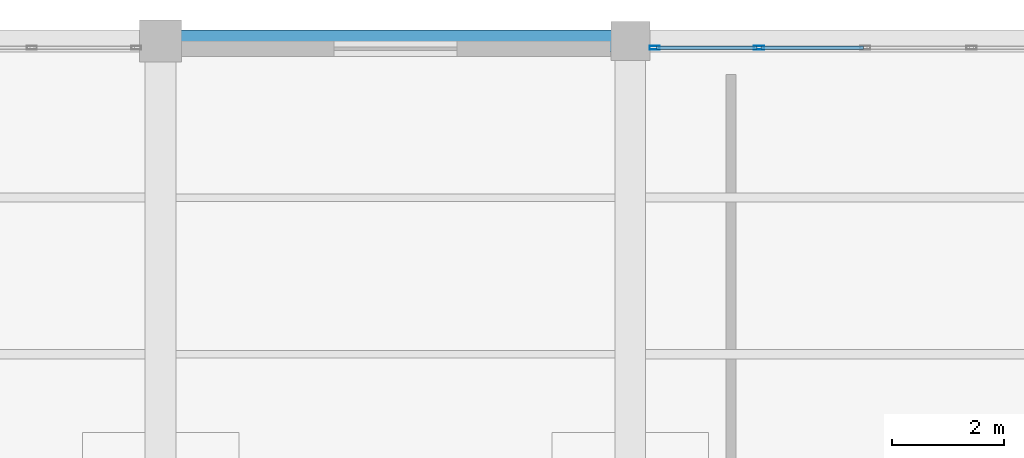
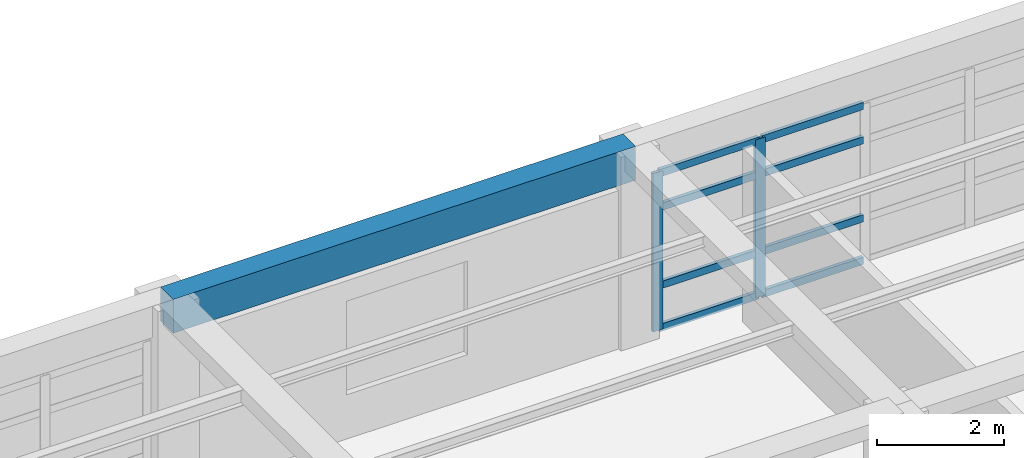
# One storey, part 23 of 31: 10 members, 1 beam, 1 element without a shape of its own.
"""IFC4 building model written with IfcOpenShell, lengths in metres."""

from ifc_helpers import new_model, si_unit, direction, frame, origin, origin_2d, place, context, subcontext, project, spatial, rectangle, hollow_rectangle, extrude, material, material_profile, profile_set, type_object, element, aggregate, save


model = new_model("IFC4")

# Units and contexts
model_context = context("Model", 3, precision=1e-05, world=origin(), true_north=direction((0.0, 1.0)))
body_context = subcontext(model_context, "Body", "Model", "MODEL_VIEW")
ifc_project = project(units=[si_unit("LENGTHUNIT", "METRE"), si_unit("AREAUNIT", "SQUARE_METRE"), si_unit("VOLUMEUNIT", "CUBIC_METRE"), si_unit("PLANEANGLEUNIT", "RADIAN"), si_unit("MASSUNIT", "GRAM", prefix="KILO")], contexts=[model_context])

# Site, building, storey
site_placement = place(None, origin())
site = spatial("IfcSite", under=ifc_project, at=site_placement, CompositionType="ELEMENT")
building_placement = place(site_placement, origin())
building = spatial("IfcBuilding", under=site, at=building_placement, Name="Almacenes y Pasaje Nevantli", CompositionType="ELEMENT")
storey_placement = place(building_placement, frame((0.0, 0.0, 34.699951171875)))
storey = spatial("IfcBuildingStorey", under=building, at=storey_placement, Name="L08", CompositionType="ELEMENT", Elevation=34.699951171875)

# Beam
ifc_material_1 = material(Name="Concrete C35/45", Category="concrete")
ifc_material_profile_1 = material_profile(ifc_material_1, rectangle(XDim=0.39990234375, YDim=0.64990234375, at=origin_2d()), Name="RC-BM-400x650")
ifc_profile_set_1 = profile_set([ifc_material_profile_1], Name="Concrete C35/45")
beam_type = type_object("IfcBeamType", Name="BM-RC-400x650", PredefinedType="SPANDREL", material=ifc_profile_set_1)
beam_placement = place(storey_placement, frame((134.39990234375, 100.800048828125, 3.39501953125), z_axis=(1.0, 0.0, 0.0), x_axis=(0.0, 1.0, 0.0)))
element("IfcBeam", 1, at=beam_placement, inside=storey, type_object=beam_type, Name="L08 East-West Reinforced Concrete Beam #3712", PredefinedType="SPANDREL", context=body_context, shape_type="SweptSolid", body=[
    extrude(rectangle(XDim=0.39990234375, YDim=0.64990234375, at=origin_2d()), origin(), (0.0, 0.0, 1.0), 8.400146484375),
])

# Curtain wall, members
ifc_material_2 = material(Name="Thermally Broken Aluminium and Low-E Glass", Category="aluminium")
curtain_wall_type = type_object("IfcCurtainWallType", Name="CW-UNIT-TOWER", PredefinedType="USERDEFINED", material=ifc_material_2)
curtain_wall_placement = place(storey_placement, origin())
curtain_wall = element("IfcCurtainWall", 2, at=curtain_wall_placement, inside=storey, type_object=curtain_wall_type, Name="L08 Tower North Boulevard Unitized Curtain Wall Bay 18", ObjectType="UNITIZED CURTAIN WALL", PredefinedType="USERDEFINED")
ifc_material_3 = material(Name="Thermally Broken Anodized Aluminium", Category="aluminium")
ifc_material_profile_2 = material_profile(ifc_material_3, hollow_rectangle(XDim=0.06494140625, YDim=0.179931640625, WallThickness=0.00390625, at=origin_2d()), Name="ALU-MUL-65x180")
ifc_profile_set_2 = profile_set([ifc_material_profile_2], Name="Thermally Broken Anodized Aluminium")
member_type_1 = type_object("IfcMemberType", Name="CW-MUL-200", PredefinedType="MULLION", material=ifc_profile_set_2)
member_1_placement = place(storey_placement, frame((143.232421875, 100.679931640625, 0.0), z_axis=(0.0, 0.0, 1.0), x_axis=(0.0, 1.0, 0.0)))
member_1 = element("IfcMember", 3, at=member_1_placement, type_object=member_type_1, Name="CW-L08-125 mullion 1", PredefinedType="MULLION", context=body_context, shape_type="SweptSolid", body=[
    extrude(hollow_rectangle(XDim=0.06494140625, YDim=0.179931640625, WallThickness=0.00390625, at=origin_2d()), origin(), (0.0, 0.0, 1.0), 3.0400390625),
])
member_2_placement = place(storey_placement, frame((145.10009765625, 100.679931640625, 0.0), z_axis=(0.0, 0.0, 1.0), x_axis=(0.0, 1.0, 0.0)))
member_2 = element("IfcMember", 4, at=member_2_placement, type_object=member_type_1, Name="CW-L08-125 mullion 2", PredefinedType="MULLION", context=body_context, shape_type="SweptSolid", body=[
    extrude(hollow_rectangle(XDim=0.06494140625, YDim=0.179931640625, WallThickness=0.00390625, at=origin_2d()), origin(), (0.0, 0.0, 1.0), 3.0400390625),
])
ifc_material_4 = material(Name="Thermally Broken Anodized Aluminium", Category="aluminium")
ifc_material_profile_3 = material_profile(ifc_material_4, hollow_rectangle(XDim=0.06494140625, YDim=0.139892578125, WallThickness=0.00390625, at=origin_2d()), Name="ALU-TRN-65x140")
ifc_profile_set_3 = profile_set([ifc_material_profile_3], Name="Thermally Broken Anodized Aluminium")
member_type_2 = type_object("IfcMemberType", Name="CW-TRN-150", PredefinedType="USERDEFINED", material=ifc_profile_set_3)
member_3_placement = place(storey_placement, frame((143.264892578125, 100.679931640625, 0.032470703125), z_axis=(1.0, 0.0, 0.0), x_axis=(0.0, 1.0, 0.0)))
member_3 = element("IfcMember", 5, at=member_3_placement, type_object=member_type_2, Name="CW-L08-125 transom 1.1", ObjectType="TRANSOM", PredefinedType="USERDEFINED", context=body_context, shape_type="SweptSolid", body=[
    extrude(hollow_rectangle(XDim=0.06494140625, YDim=0.139892578125, WallThickness=0.00390625, at=origin_2d()), origin(), (0.0, 0.0, 1.0), 1.802490234375),
])
member_4_placement = place(storey_placement, frame((143.264892578125, 100.679931640625, 0.85009765625), z_axis=(1.0, 0.0, 0.0), x_axis=(0.0, 1.0, 0.0)))
member_4 = element("IfcMember", 6, at=member_4_placement, type_object=member_type_2, Name="CW-L08-125 transom 1.2", ObjectType="TRANSOM", PredefinedType="USERDEFINED", context=body_context, shape_type="SweptSolid", body=[
    extrude(hollow_rectangle(XDim=0.06494140625, YDim=0.139892578125, WallThickness=0.00390625, at=origin_2d()), origin(), (0.0, 0.0, 1.0), 1.802490234375),
])
member_5_placement = place(storey_placement, frame((143.264892578125, 100.679931640625, 2.35009765625), z_axis=(1.0, 0.0, 0.0), x_axis=(0.0, 1.0, 0.0)))
member_5 = element("IfcMember", 7, at=member_5_placement, type_object=member_type_2, Name="CW-L08-125 transom 1.3", ObjectType="TRANSOM", PredefinedType="USERDEFINED", context=body_context, shape_type="SweptSolid", body=[
    extrude(hollow_rectangle(XDim=0.06494140625, YDim=0.139892578125, WallThickness=0.00390625, at=origin_2d()), origin(), (0.0, 0.0, 1.0), 1.802490234375),
])
member_6_placement = place(storey_placement, frame((143.264892578125, 100.679931640625, 3.007568359375), z_axis=(1.0, 0.0, 0.0), x_axis=(0.0, 1.0, 0.0)))
member_6 = element("IfcMember", 8, at=member_6_placement, type_object=member_type_2, Name="CW-L08-125 transom 1.4", ObjectType="TRANSOM", PredefinedType="USERDEFINED", context=body_context, shape_type="SweptSolid", body=[
    extrude(hollow_rectangle(XDim=0.06494140625, YDim=0.139892578125, WallThickness=0.00390625, at=origin_2d()), origin(), (0.0, 0.0, 1.0), 1.802490234375),
])
member_7_placement = place(storey_placement, frame((145.132568359375, 100.679931640625, 0.032470703125), z_axis=(1.0, 0.0, 0.0), x_axis=(0.0, 1.0, 0.0)))
member_7 = element("IfcMember", 9, at=member_7_placement, type_object=member_type_2, Name="CW-L08-125 transom 2.1", ObjectType="TRANSOM", PredefinedType="USERDEFINED", context=body_context, shape_type="SweptSolid", body=[
    extrude(hollow_rectangle(XDim=0.06494140625, YDim=0.139892578125, WallThickness=0.00390625, at=origin_2d()), origin(), (0.0, 0.0, 1.0), 1.8349609375),
])
member_8_placement = place(storey_placement, frame((145.132568359375, 100.679931640625, 0.85009765625), z_axis=(1.0, 0.0, 0.0), x_axis=(0.0, 1.0, 0.0)))
member_8 = element("IfcMember", 10, at=member_8_placement, type_object=member_type_2, Name="CW-L08-125 transom 2.2", ObjectType="TRANSOM", PredefinedType="USERDEFINED", context=body_context, shape_type="SweptSolid", body=[
    extrude(hollow_rectangle(XDim=0.06494140625, YDim=0.139892578125, WallThickness=0.00390625, at=origin_2d()), origin(), (0.0, 0.0, 1.0), 1.8349609375),
])
member_9_placement = place(storey_placement, frame((145.132568359375, 100.679931640625, 2.35009765625), z_axis=(1.0, 0.0, 0.0), x_axis=(0.0, 1.0, 0.0)))
member_9 = element("IfcMember", 11, at=member_9_placement, type_object=member_type_2, Name="CW-L08-125 transom 2.3", ObjectType="TRANSOM", PredefinedType="USERDEFINED", context=body_context, shape_type="SweptSolid", body=[
    extrude(hollow_rectangle(XDim=0.06494140625, YDim=0.139892578125, WallThickness=0.00390625, at=origin_2d()), origin(), (0.0, 0.0, 1.0), 1.8349609375),
])
member_10_placement = place(storey_placement, frame((145.132568359375, 100.679931640625, 3.007568359375), z_axis=(1.0, 0.0, 0.0), x_axis=(0.0, 1.0, 0.0)))
member_10 = element("IfcMember", 12, at=member_10_placement, type_object=member_type_2, Name="CW-L08-125 transom 2.4", ObjectType="TRANSOM", PredefinedType="USERDEFINED", context=body_context, shape_type="SweptSolid", body=[
    extrude(hollow_rectangle(XDim=0.06494140625, YDim=0.139892578125, WallThickness=0.00390625, at=origin_2d()), origin(), (0.0, 0.0, 1.0), 1.8349609375),
])
aggregate(curtain_wall, [member_1, member_2, member_3, member_4, member_5, member_6, member_7, member_8, member_9, member_10])

save(model, "model.ifc")
